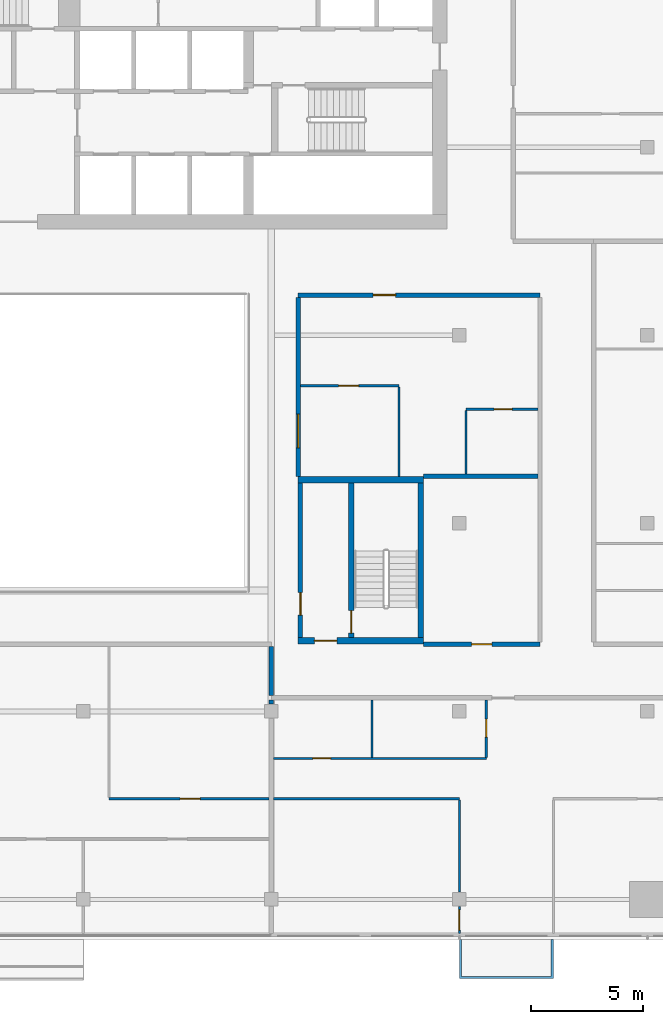
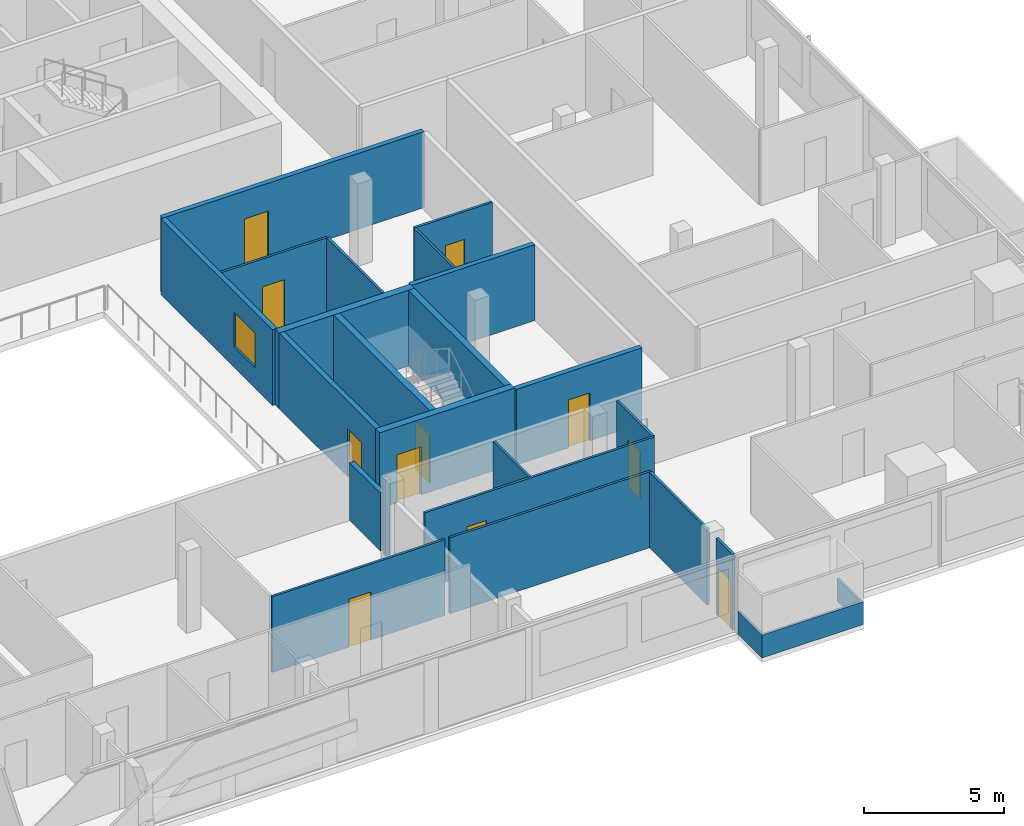
# One storey, part 19 of 26: 23 walls, 11 doors, 1 window, 12 openings.
"""IFC4 building model written with IfcOpenShell, lengths in metres."""

from ifc_helpers import new_model, si_unit, direction, frame, frame_2d, origin, place, context, subcontext, project, spatial, polyline, rectangle, outline, extrude, material, layer, layer_set, type_object, element, fill, save


model = new_model("IFC4")

# Units and contexts
model_context = context("Model", 3, precision=1e-05, world=origin(), true_north=direction((0.0, 1.0)))
body_context = subcontext(model_context, "Body", "Model", "MODEL_VIEW")
ifc_project = project(units=[si_unit("LENGTHUNIT", "METRE"), si_unit("AREAUNIT", "SQUARE_METRE"), si_unit("VOLUMEUNIT", "CUBIC_METRE"), si_unit("PLANEANGLEUNIT", "RADIAN"), si_unit("MASSUNIT", "GRAM", prefix="KILO")], contexts=[model_context])

# Site, building, storey
site_placement = place(None, origin())
site = spatial("IfcSite", under=ifc_project, at=site_placement, CompositionType="ELEMENT")
building_placement = place(site_placement, origin())
building = spatial("IfcBuilding", under=site, at=building_placement, Name="Saffron Gate Tower", CompositionType="ELEMENT")
storey_placement = place(building_placement, frame((0.0, 0.0, 230.699951171875)))
storey = spatial("IfcBuildingStorey", under=building, at=storey_placement, Name="L56", CompositionType="ELEMENT", Elevation=230.699951171875)

# Wall, opening, door
ifc_material_1 = material(Name="Gypsum board partition on steel studs", Category="steel")
ifc_layer_1 = layer(ifc_material_1, 0.199951171875)
ifc_layer_set_1 = layer_set([ifc_layer_1], Name="CW10 Core partition 200")
wall_type_1 = type_object("IfcWallType", Name="CW10 Core partition 200", PredefinedType="PARTITIONING", material=ifc_layer_set_1)
wall_1_placement = place(storey_placement, frame((101.5, 43.5, 0.0), z_axis=(0.0, 0.0, 1.0), x_axis=(0.0, 1.0, 0.0)))
wall_1 = element("IfcWall", 1, at=wall_1_placement, inside=storey, type_object=wall_type_1, Name="Wall CW10-L56-E-2", PredefinedType="PARTITIONING", context=body_context, shape_type="SweptSolid", body=[
    extrude(rectangle(XDim=6.89990234375, YDim=0.199951171875, at=frame_2d((3.449951171875, 0.0))), origin(), (0.0, 0.0, 1.0), 3.320068359375),
])
opening_1_placement = place(wall_1_placement, frame((1.0, 0.0, 0.0)))
opening_1 = element("IfcOpeningElement", 2, at=opening_1_placement, cuts=wall_1, Name="Opening CR-22", PredefinedType="OPENING", context=body_context, shape_type="SweptSolid", body=[
    extrude(rectangle(XDim=1.0, YDim=2.10009765625, at=frame_2d((0.5, 1.050048828125))), frame((0.0, 0.10986328125, 0.0), z_axis=(0.0, -1.0, 0.0), x_axis=(1.0, 0.0, 0.0)), (0.0, 0.0, 1.0), 0.219970703125),
])
ifc_material_2 = material(Name="Steel fire door set", Category="steel")
door_type_1 = type_object("IfcDoorType", Name="CD4 Lobby door 1000x2100 EI 120", OperationType="NOTDEFINED", PredefinedType="DOOR", material=ifc_material_2)
door_1_placement = place(opening_1_placement, origin())
door_1 = element("IfcDoor", 3, at=door_1_placement, inside=storey, type_object=door_type_1, Name="DOOR CR-22", OperationType="SINGLE_SWING_LEFT", OverallHeight=2.10009765625, OverallWidth=1.0, PredefinedType="DOOR", context=body_context, shape_type="SweptSolid", body=[
    extrude(rectangle(XDim=1.0, YDim=2.10009765625, at=frame_2d((0.5, 1.050048828125))), frame((0.0, 0.02490234375, 0.0), z_axis=(0.0, -1.0, 0.0), x_axis=(1.0, 0.0, 0.0)), (0.0, 0.0, 1.0), 0.050048828125),
])
fill(opening_1, door_1)

ifc_material_3 = material(Name="Concrete C60", Category="concrete")
ifc_layer_2 = layer(ifc_material_3, 0.25)
ifc_layer_set_2 = layer_set([ifc_layer_2], Name="CW14 RC core wall 250 C60")
wall_type_2 = type_object("IfcWallType", Name="CW14 RC core wall 250 C60", PredefinedType="SOLIDWALL", material=ifc_layer_set_2)
wall_2_placement = place(storey_placement, frame((103.77490234375, 43.5, 0.0), z_axis=(0.0, 0.0, 1.0), x_axis=(0.0, 1.0, 0.0)))
wall_2 = element("IfcWall", 4, at=wall_2_placement, inside=storey, type_object=wall_type_2, Name="Wall CW14-L56-E-3", PredefinedType="SOLIDWALL", context=body_context, shape_type="SweptSolid", body=[
    extrude(rectangle(XDim=6.89990234375, YDim=0.25, at=frame_2d((3.449951171875, 0.0))), origin(), (0.0, 0.0, 1.0), 3.320068359375),
])
opening_2_placement = place(wall_2_placement, frame((0.199951171875, 0.0, 0.0)))
opening_2 = element("IfcOpeningElement", 5, at=opening_2_placement, cuts=wall_2, Name="Opening CR-23", PredefinedType="OPENING", context=body_context, shape_type="SweptSolid", body=[
    extrude(rectangle(XDim=1.0, YDim=2.10009765625, at=frame_2d((0.5, 1.050048828125))), frame((0.0, 0.135009765625, 0.0), z_axis=(0.0, -1.0, 0.0), x_axis=(1.0, 0.0, 0.0)), (0.0, 0.0, 1.0), 0.27001953125),
])
door_type_2 = type_object("IfcDoorType", Name="CD5 Stair door 1000x2100 EI 120", OperationType="NOTDEFINED", PredefinedType="DOOR", material=ifc_material_2)
door_2_placement = place(opening_2_placement, origin())
door_2 = element("IfcDoor", 6, at=door_2_placement, inside=storey, type_object=door_type_2, Name="DOOR CR-23", OperationType="SINGLE_SWING_RIGHT", OverallHeight=2.10009765625, OverallWidth=1.0, PredefinedType="DOOR", context=body_context, shape_type="SweptSolid", body=[
    extrude(rectangle(XDim=1.0, YDim=2.10009765625, at=frame_2d((0.5, 1.050048828125))), frame((0.0, 0.02490234375, 0.0), z_axis=(0.0, -1.0, 0.0), x_axis=(1.0, 0.0, 0.0)), (0.0, 0.0, 1.0), 0.050048828125),
])
fill(opening_2, door_2)

# Wall
wall_3_placement = place(storey_placement, frame((106.875, 43.5, 0.0), z_axis=(0.0, 0.0, 1.0), x_axis=(0.0, 1.0, 0.0)))
element("IfcWall", 7, at=wall_3_placement, inside=storey, type_object=wall_type_2, Name="Wall CW14-L56-E-4", PredefinedType="SOLIDWALL", context=body_context, shape_type="SweptSolid", body=[
    extrude(rectangle(XDim=6.89990234375, YDim=0.25, at=frame_2d((3.449951171875, 0.0))), origin(), (0.0, 0.0, 1.0), 3.320068359375),
])

# Wall, opening, door
ifc_layer_3 = layer(ifc_material_3, 0.300048828125)
ifc_layer_set_3 = layer_set([ifc_layer_3], Name="CW17 RC core wall 300 C60")
wall_type_3 = type_object("IfcWallType", Name="CW17 RC core wall 300 C60", PredefinedType="SOLIDWALL", material=ifc_layer_set_3)
wall_4_placement = place(storey_placement, frame((101.39990234375, 43.35009765625, 0.0), z_axis=(0.0, 0.0, 1.0), x_axis=(1.0, 0.0, 0.0)))
wall_4 = element("IfcWall", 8, at=wall_4_placement, inside=storey, type_object=wall_type_3, Name="Wall CW17-L56-E-1", PredefinedType="SOLIDWALL", context=body_context, shape_type="SweptSolid", body=[
    extrude(rectangle(XDim=5.60009765625, YDim=0.300048828125, at=frame_2d((2.800048828125, 0.0))), origin(), (0.0, 0.0, 1.0), 3.320068359375),
])
opening_3_placement = place(wall_4_placement, frame((0.72509765625, 0.0, 0.0)))
opening_3 = element("IfcOpeningElement", 9, at=opening_3_placement, cuts=wall_4, Name="Opening CR-21", PredefinedType="OPENING", context=body_context, shape_type="SweptSolid", body=[
    extrude(rectangle(XDim=1.0, YDim=2.10009765625, at=frame_2d((0.5, 1.050048828125))), frame((0.0, 0.16015625, 0.0), z_axis=(0.0, -1.0, 0.0), x_axis=(1.0, 0.0, 0.0)), (0.0, 0.0, 1.0), 0.320068359375),
])
door_3_placement = place(opening_3_placement, origin())
door_3 = element("IfcDoor", 10, at=door_3_placement, inside=storey, type_object=door_type_1, Name="DOOR CR-21", OperationType="SINGLE_SWING_RIGHT", OverallHeight=2.10009765625, OverallWidth=1.0, PredefinedType="DOOR", context=body_context, shape_type="SweptSolid", body=[
    extrude(rectangle(XDim=1.0, YDim=2.10009765625, at=frame_2d((0.5, 1.050048828125))), frame((0.0, 0.02490234375, 0.0), z_axis=(0.0, -1.0, 0.0), x_axis=(1.0, 0.0, 0.0)), (0.0, 0.0, 1.0), 0.050048828125),
])
fill(opening_3, door_3)

# Wall
wall_5_placement = place(storey_placement, frame((101.39990234375, 50.550048828125, 0.0), z_axis=(0.0, 0.0, 1.0), x_axis=(1.0, 0.0, 0.0)))
element("IfcWall", 11, at=wall_5_placement, inside=storey, type_object=wall_type_3, Name="Wall CW17-L56-E-5", PredefinedType="SOLIDWALL", context=body_context, shape_type="SweptSolid", body=[
    extrude(rectangle(XDim=5.60009765625, YDim=0.300048828125, at=frame_2d((2.800048828125, 0.0))), origin(), (0.0, 0.0, 1.0), 3.320068359375),
])

# Wall, opening, door
ifc_material_4 = material(Name="Plasterboard on steel studs", Category="steel")
ifc_layer_4 = layer(ifc_material_4, 0.10009765625)
ifc_layer_set_4 = layer_set([ifc_layer_4], Name="PW1 Partition 100")
wall_type_4 = type_object("IfcWallType", Name="PW1 Partition 100", PredefinedType="PARTITIONING", material=ifc_layer_set_4)
wall_6_placement = place(storey_placement, frame((100.300048828125, 38.10009765625, 0.0), z_axis=(0.0, 0.0, 1.0), x_axis=(1.0, 0.0, 0.0)))
wall_6 = element("IfcWall", 12, at=wall_6_placement, inside=storey, type_object=wall_type_4, Name="Partition D3-6", PredefinedType="PARTITIONING", context=body_context, shape_type="SweptSolid", body=[
    extrude(rectangle(XDim=9.5, YDim=0.10009765625, at=frame_2d((4.75, 0.0))), origin(), (0.0, 0.0, 1.0), 3.320068359375),
])
opening_4_placement = place(wall_6_placement, frame((1.75, 0.0, 0.0)))
opening_4 = element("IfcOpeningElement", 13, at=opening_4_placement, cuts=wall_6, Name="Opening D3-43", PredefinedType="OPENING", context=body_context, shape_type="SweptSolid", body=[
    extrude(rectangle(XDim=0.800048828125, YDim=2.10009765625, at=frame_2d((0.39990234375, 1.050048828125))), frame((0.0, 0.06005859375, 0.0), z_axis=(0.0, -1.0, 0.0), x_axis=(1.0, 0.0, 0.0)), (0.0, 0.0, 1.0), 0.1201171875),
])
ifc_material_5 = material(Name="Timber door set", Category="wood")
door_type_3 = type_object("IfcDoorType", Name="RD2 Bathroom door 800x2100", OperationType="NOTDEFINED", PredefinedType="DOOR", material=ifc_material_5)
door_4_placement = place(opening_4_placement, origin())
door_4 = element("IfcDoor", 14, at=door_4_placement, inside=storey, type_object=door_type_3, Name="Door D3-43", OperationType="SINGLE_SWING_LEFT", OverallHeight=2.10009765625, OverallWidth=0.800048828125, PredefinedType="DOOR", context=body_context, shape_type="SweptSolid", body=[
    extrude(rectangle(XDim=0.800048828125, YDim=2.10009765625, at=frame_2d((0.39990234375, 1.050048828125))), frame((0.0, 0.02490234375, 0.0), z_axis=(0.0, -1.0, 0.0), x_axis=(1.0, 0.0, 0.0)), (0.0, 0.0, 1.0), 0.050048828125),
])
fill(opening_4, door_4)

wall_7_placement = place(storey_placement, frame((112.10009765625, 53.699951171875, 0.0), z_axis=(0.0, 0.0, 1.0), x_axis=(-1.0, 0.0, 0.0)))
wall_7 = element("IfcWall", 15, at=wall_7_placement, inside=storey, type_object=wall_type_4, Name="Partition D3-30", PredefinedType="PARTITIONING", context=body_context, shape_type="SweptSolid", body=[
    extrude(rectangle(XDim=3.2001953125, YDim=0.10009765625, at=frame_2d((1.60009765625, 0.0))), origin(), (0.0, 0.0, 1.0), 3.320068359375),
])
opening_5_placement = place(wall_7_placement, frame((1.14990234375, 0.0, 0.0)))
opening_5 = element("IfcOpeningElement", 16, at=opening_5_placement, cuts=wall_7, Name="Opening D3-53", PredefinedType="OPENING", context=body_context, shape_type="SweptSolid", body=[
    extrude(rectangle(XDim=0.800048828125, YDim=2.10009765625, at=frame_2d((0.39990234375, 1.050048828125))), frame((0.0, 0.06005859375, 0.0), z_axis=(0.0, -1.0, 0.0), x_axis=(1.0, 0.0, 0.0)), (0.0, 0.0, 1.0), 0.1201171875),
])
door_5_placement = place(opening_5_placement, origin())
door_5 = element("IfcDoor", 17, at=door_5_placement, inside=storey, type_object=door_type_3, Name="Door D3-53", OperationType="SINGLE_SWING_LEFT", OverallHeight=2.10009765625, OverallWidth=0.800048828125, PredefinedType="DOOR", context=body_context, shape_type="SweptSolid", body=[
    extrude(rectangle(XDim=0.800048828125, YDim=2.10009765625, at=frame_2d((0.39990234375, 1.050048828125))), frame((0.0, 0.02490234375, 0.0), z_axis=(0.0, -1.0, 0.0), x_axis=(1.0, 0.0, 0.0)), (0.0, 0.0, 1.0), 0.050048828125),
])
fill(opening_5, door_5)

wall_8_placement = place(storey_placement, frame((105.89990234375, 54.75, 0.0), z_axis=(0.0, 0.0, 1.0), x_axis=(-1.0, 0.0, 0.0)))
wall_8 = element("IfcWall", 18, at=wall_8_placement, inside=storey, type_object=wall_type_4, Name="Partition D3-33", PredefinedType="PARTITIONING", context=body_context, shape_type="SweptSolid", body=[
    extrude(rectangle(XDim=4.39990234375, YDim=0.10009765625, at=frame_2d((2.199951171875, 0.0))), origin(), (0.0, 0.0, 1.0), 3.320068359375),
])
opening_6_placement = place(wall_8_placement, frame((1.800048828125, 0.0, 0.0)))
opening_6 = element("IfcOpeningElement", 19, at=opening_6_placement, cuts=wall_8, Name="Opening D3-38", PredefinedType="OPENING", context=body_context, shape_type="SweptSolid", body=[
    extrude(rectangle(XDim=0.89990234375, YDim=2.10009765625, at=frame_2d((0.449951171875, 1.050048828125))), frame((0.0, 0.06005859375, 0.0), z_axis=(0.0, -1.0, 0.0), x_axis=(1.0, 0.0, 0.0)), (0.0, 0.0, 1.0), 0.1201171875),
])
door_type_4 = type_object("IfcDoorType", Name="RD1 Room door 900x2100", OperationType="NOTDEFINED", PredefinedType="DOOR", material=ifc_material_5)
door_6_placement = place(opening_6_placement, origin())
door_6 = element("IfcDoor", 20, at=door_6_placement, inside=storey, type_object=door_type_4, Name="Door D3-38", OperationType="SINGLE_SWING_RIGHT", OverallHeight=2.10009765625, OverallWidth=0.89990234375, PredefinedType="DOOR", context=body_context, shape_type="SweptSolid", body=[
    extrude(rectangle(XDim=0.89990234375, YDim=2.10009765625, at=frame_2d((0.449951171875, 1.050048828125))), frame((0.0, 0.02490234375, 0.0), z_axis=(0.0, -1.0, 0.0), x_axis=(1.0, 0.0, 0.0)), (0.0, 0.0, 1.0), 0.050048828125),
])
fill(opening_6, door_6)

# Walls
wall_9_placement = place(storey_placement, frame((104.699951171875, 40.699951171875, 0.0), z_axis=(0.0, 0.0, 1.0), x_axis=(0.0, -1.0, 0.0)))
element("IfcWall", 21, at=wall_9_placement, inside=storey, type_object=wall_type_4, Name="Partition D3-96", PredefinedType="PARTITIONING", context=body_context, shape_type="SweptSolid", body=[
    extrude(rectangle(XDim=2.550048828125, YDim=0.10009765625, at=frame_2d((1.27490234375, 0.0))), origin(), (0.0, 0.0, 1.0), 3.320068359375),
])
wall_10_placement = place(storey_placement, frame((105.89990234375, 54.699951171875, 0.0), z_axis=(0.0, 0.0, 1.0), x_axis=(0.0, -1.0, 0.0)))
element("IfcWall", 22, at=wall_10_placement, inside=storey, type_object=wall_type_4, Name="Partition D3-97", PredefinedType="PARTITIONING", context=body_context, shape_type="SweptSolid", body=[
    extrude(rectangle(XDim=4.0, YDim=0.10009765625, at=frame_2d((2.0, 0.0))), origin(), (0.0, 0.0, 1.0), 3.320068359375),
])

# Wall, opening, door
wall_11_placement = place(storey_placement, frame((108.60009765625, 30.280029296875, 0.0), z_axis=(0.0, 0.0, 1.0), x_axis=(0.0, 1.0, 0.0)))
wall_11 = element("IfcWall", 23, at=wall_11_placement, inside=storey, type_object=wall_type_4, Name="Partition D3-98", PredefinedType="PARTITIONING", context=body_context, shape_type="SweptSolid", body=[
    extrude(rectangle(XDim=1.199951171875, YDim=0.10009765625, at=frame_2d((0.60009765625, 0.0))), origin(), (0.0, 0.0, 1.0), 3.320068359375),
])
opening_7_placement = place(wall_11_placement, frame((0.14990234375, 0.0, 0.0)))
opening_7 = element("IfcOpeningElement", 24, at=opening_7_placement, cuts=wall_11, Name="Opening D3-21", PredefinedType="OPENING", context=body_context, shape_type="SweptSolid", body=[
    extrude(rectangle(XDim=0.89990234375, YDim=2.10009765625, at=frame_2d((0.449951171875, 1.050048828125))), frame((0.0, 0.06005859375, 0.0), z_axis=(0.0, -1.0, 0.0), x_axis=(1.0, 0.0, 0.0)), (0.0, 0.0, 1.0), 0.1201171875),
])
door_7_placement = place(opening_7_placement, origin())
door_7 = element("IfcDoor", 25, at=door_7_placement, inside=storey, type_object=door_type_4, Name="Door D3-21", OperationType="SINGLE_SWING_LEFT", OverallHeight=2.10009765625, OverallWidth=0.89990234375, PredefinedType="DOOR", context=body_context, shape_type="SweptSolid", body=[
    extrude(rectangle(XDim=0.89990234375, YDim=2.10009765625, at=frame_2d((0.449951171875, 1.050048828125))), frame((0.0, 0.02490234375, 0.0), z_axis=(0.0, -1.0, 0.0), x_axis=(1.0, 0.0, 0.0)), (0.0, 0.0, 1.0), 0.050048828125),
])
fill(opening_7, door_7)

# Walls
wall_12_placement = place(storey_placement, frame((108.60009765625, 36.25, 0.0), z_axis=(0.0, 0.0, 1.0), x_axis=(0.0, -1.0, 0.0)))
element("IfcWall", 26, at=wall_12_placement, inside=storey, type_object=wall_type_4, Name="Partition D3-99", PredefinedType="PARTITIONING", context=body_context, shape_type="SweptSolid", body=[
    extrude(rectangle(XDim=4.1298828125, YDim=0.10009765625, at=frame_2d((2.06494140625, 0.0))), origin(), (0.0, 0.0, 1.0), 3.320068359375),
])
wall_13_placement = place(storey_placement, frame((108.89990234375, 53.64990234375, 0.0), z_axis=(0.0, 0.0, 1.0), x_axis=(0.0, -1.0, 0.0)))
element("IfcWall", 27, at=wall_13_placement, inside=storey, type_object=wall_type_4, Name="Partition D3-100", PredefinedType="PARTITIONING", context=body_context, shape_type="SweptSolid", body=[
    extrude(rectangle(XDim=2.849853515625, YDim=0.10009765625, at=frame_2d((1.4248046875, 0.0))), origin(), (0.0, 0.0, 1.0), 3.320068359375),
])

# Wall, opening, door
wall_14_placement = place(storey_placement, frame((109.800048828125, 38.14990234375, 0.0), z_axis=(0.0, 0.0, 1.0), x_axis=(0.0, 1.0, 0.0)))
wall_14 = element("IfcWall", 28, at=wall_14_placement, inside=storey, type_object=wall_type_4, Name="Partition D3-101", PredefinedType="PARTITIONING", context=body_context, shape_type="SweptSolid", body=[
    extrude(rectangle(XDim=2.550048828125, YDim=0.10009765625, at=frame_2d((1.27490234375, 0.0))), origin(), (0.0, 0.0, 1.0), 3.320068359375),
])
opening_8_placement = place(wall_14_placement, frame((0.89990234375, 0.0, 0.0)))
opening_8 = element("IfcOpeningElement", 29, at=opening_8_placement, cuts=wall_14, Name="Opening D3-44", PredefinedType="OPENING", context=body_context, shape_type="SweptSolid", body=[
    extrude(rectangle(XDim=0.800048828125, YDim=2.10009765625, at=frame_2d((0.39990234375, 1.050048828125))), frame((0.0, 0.06005859375, 0.0), z_axis=(0.0, -1.0, 0.0), x_axis=(1.0, 0.0, 0.0)), (0.0, 0.0, 1.0), 0.1201171875),
])
door_8_placement = place(opening_8_placement, origin())
door_8 = element("IfcDoor", 30, at=door_8_placement, inside=storey, type_object=door_type_3, Name="Door D3-44", OperationType="SINGLE_SWING_RIGHT", OverallHeight=2.10009765625, OverallWidth=0.800048828125, PredefinedType="DOOR", context=body_context, shape_type="SweptSolid", body=[
    extrude(rectangle(XDim=0.800048828125, YDim=2.10009765625, at=frame_2d((0.39990234375, 1.050048828125))), frame((0.0, 0.02490234375, 0.0), z_axis=(0.0, -1.0, 0.0), x_axis=(1.0, 0.0, 0.0)), (0.0, 0.0, 1.0), 0.050048828125),
])
fill(opening_8, door_8)

wall_15_placement = place(storey_placement, frame((92.94189453125, 36.300048828125, 0.0), z_axis=(0.0, 0.0, 1.0), x_axis=(1.0, 0.0, 0.0)))
wall_15 = element("IfcWall", 31, at=wall_15_placement, inside=storey, type_object=wall_type_4, Name="Partition D3-116", PredefinedType="PARTITIONING", context=body_context, shape_type="SweptSolid", body=[
    extrude(rectangle(XDim=7.158203125, YDim=0.10009765625, at=frame_2d((3.5791015625, 0.0))), origin(), (0.0, 0.0, 1.0), 3.320068359375),
])
opening_9_placement = place(wall_15_placement, frame((3.178955078125, 0.0, 0.0)))
opening_9 = element("IfcOpeningElement", 32, at=opening_9_placement, cuts=wall_15, Name="Opening D3-19", PredefinedType="OPENING", context=body_context, shape_type="SweptSolid", body=[
    extrude(rectangle(XDim=0.89990234375, YDim=2.10009765625, at=frame_2d((0.449951171875, 1.050048828125))), frame((0.0, 0.06005859375, 0.0), z_axis=(0.0, -1.0, 0.0), x_axis=(1.0, 0.0, 0.0)), (0.0, 0.0, 1.0), 0.1201171875),
])
door_9_placement = place(opening_9_placement, origin())
door_9 = element("IfcDoor", 33, at=door_9_placement, inside=storey, type_object=door_type_4, Name="Door D3-19", OperationType="SINGLE_SWING_RIGHT", OverallHeight=2.10009765625, OverallWidth=0.89990234375, PredefinedType="DOOR", context=body_context, shape_type="SweptSolid", body=[
    extrude(rectangle(XDim=0.89990234375, YDim=2.10009765625, at=frame_2d((0.449951171875, 1.050048828125))), frame((0.0, 0.02490234375, 0.0), z_axis=(0.0, -1.0, 0.0), x_axis=(1.0, 0.0, 0.0)), (0.0, 0.0, 1.0), 0.050048828125),
])
fill(opening_9, door_9)

# Walls
wall_16_placement = place(storey_placement, frame((100.300048828125, 36.300048828125, 0.0), z_axis=(0.0, 0.0, 1.0), x_axis=(1.0, 0.0, 0.0)))
element("IfcWall", 34, at=wall_16_placement, inside=storey, type_object=wall_type_4, Name="Partition D3-117", PredefinedType="PARTITIONING", context=body_context, shape_type="SweptSolid", body=[
    extrude(rectangle(XDim=8.300048828125, YDim=0.10009765625, at=frame_2d((4.14990234375, 0.0))), origin(), (0.0, 0.0, 1.0), 3.320068359375),
])
ifc_material_6 = material(Name="Clay brick masonry, rendered", Category="masonry")
ifc_layer_5 = layer(ifc_material_6, 0.199951171875)
ifc_layer_set_5 = layer_set([ifc_layer_5], Name="PW2 Demising wall 200")
wall_type_5 = type_object("IfcWallType", Name="PW2 Demising wall 200", PredefinedType="PARTITIONING", material=ifc_layer_set_5)
wall_17_placement = place(storey_placement, frame((107.0, 50.699951171875, 0.0), z_axis=(0.0, 0.0, 1.0), x_axis=(1.0, 0.0, 0.0)))
element("IfcWall", 35, at=wall_17_placement, inside=storey, type_object=wall_type_5, Name="Wall D3-25", PredefinedType="PARTITIONING", context=body_context, shape_type="SweptSolid", body=[
    extrude(rectangle(XDim=5.10009765625, YDim=0.199951171875, at=frame_2d((2.550048828125, 0.0))), origin(), (0.0, 0.0, 1.0), 3.320068359375),
])
wall_18_placement = place(storey_placement, frame((100.199951171875, 40.699951171875, 0.0), z_axis=(0.0, 0.0, 1.0), x_axis=(0.0, -1.0, 0.0)))
element("IfcWall", 36, at=wall_18_placement, inside=storey, type_object=wall_type_5, Name="Wall D3-94", PredefinedType="PARTITIONING", context=body_context, shape_type="SweptSolid", body=[
    extrude(rectangle(XDim=0.179931640625, YDim=0.199951171875, at=frame_2d((0.08984375, 0.0))), origin(), (0.0, 0.0, 1.0), 3.320068359375),
])

# Wall, opening, door
ifc_layer_6 = layer(ifc_material_6, 0.199951171875)
ifc_layer_set_6 = layer_set([ifc_layer_6], Name="PW3 Corridor wall 200")
wall_type_6 = type_object("IfcWallType", Name="PW3 Corridor wall 200", PredefinedType="PARTITIONING", material=ifc_layer_set_6)
wall_19_placement = place(storey_placement, frame((107.0, 43.199951171875, 0.0), z_axis=(0.0, 0.0, 1.0), x_axis=(1.0, 0.0, 0.0)))
wall_19 = element("IfcWall", 37, at=wall_19_placement, inside=storey, type_object=wall_type_6, Name="Wall D3-15", PredefinedType="PARTITIONING", context=body_context, shape_type="SweptSolid", body=[
    extrude(rectangle(XDim=5.199951171875, YDim=0.199951171875, at=frame_2d((2.60009765625, 0.0))), origin(), (0.0, 0.0, 1.0), 3.320068359375),
])
opening_10_placement = place(wall_19_placement, frame((2.14990234375, 0.0, 0.0)))
opening_10 = element("IfcOpeningElement", 38, at=opening_10_placement, cuts=wall_19, Name="Opening D3-54", PredefinedType="OPENING", context=body_context, shape_type="SweptSolid", body=[
    extrude(rectangle(XDim=0.89990234375, YDim=2.10009765625, at=frame_2d((0.449951171875, 1.050048828125))), frame((0.0, 0.10986328125, 0.0), z_axis=(0.0, -1.0, 0.0), x_axis=(1.0, 0.0, 0.0)), (0.0, 0.0, 1.0), 0.219970703125),
])
door_type_5 = type_object("IfcDoorType", Name="SD1 Service door 900x2100", OperationType="NOTDEFINED", PredefinedType="DOOR", material=ifc_material_2)
door_10_placement = place(opening_10_placement, origin())
door_10 = element("IfcDoor", 39, at=door_10_placement, inside=storey, type_object=door_type_5, Name="Door D3-54", OperationType="SINGLE_SWING_LEFT", OverallHeight=2.10009765625, OverallWidth=0.89990234375, PredefinedType="DOOR", context=body_context, shape_type="SweptSolid", body=[
    extrude(rectangle(XDim=0.89990234375, YDim=2.10009765625, at=frame_2d((0.449951171875, 1.050048828125))), frame((0.0, 0.02490234375, 0.0), z_axis=(0.0, -1.0, 0.0), x_axis=(1.0, 0.0, 0.0)), (0.0, 0.0, 1.0), 0.050048828125),
])
fill(opening_10, door_10)

wall_20_placement = place(storey_placement, frame((112.199951171875, 58.800048828125, 0.0), z_axis=(0.0, 0.0, 1.0), x_axis=(-1.0, 0.0, 0.0)))
wall_20 = element("IfcWall", 40, at=wall_20_placement, inside=storey, type_object=wall_type_6, Name="Wall D3-37", PredefinedType="PARTITIONING", context=body_context, shape_type="SweptSolid", body=[
    extrude(rectangle(XDim=10.800048828125, YDim=0.199951171875, at=frame_2d((5.39990234375, 0.0))), origin(), (0.0, 0.0, 1.0), 3.320068359375),
])
opening_11_placement = place(wall_20_placement, frame((6.449951171875, 0.0, 0.0)))
opening_11 = element("IfcOpeningElement", 41, at=opening_11_placement, cuts=wall_20, Name="Opening D3-9", PredefinedType="OPENING", context=body_context, shape_type="SweptSolid", body=[
    extrude(rectangle(XDim=1.0, YDim=2.10009765625, at=frame_2d((0.5, 1.050048828125))), frame((0.0, 0.10986328125, 0.0), z_axis=(0.0, -1.0, 0.0), x_axis=(1.0, 0.0, 0.0)), (0.0, 0.0, 1.0), 0.219970703125),
])
ifc_material_7 = material(Name="Timber fire door set", Category="wood")
door_type_6 = type_object("IfcDoorType", Name="FD1 Flat entry door 1000x2100", OperationType="NOTDEFINED", PredefinedType="DOOR", material=ifc_material_7)
door_11_placement = place(opening_11_placement, origin())
door_11 = element("IfcDoor", 42, at=door_11_placement, inside=storey, type_object=door_type_6, Name="Door D3-9", OperationType="SINGLE_SWING_LEFT", OverallHeight=2.10009765625, OverallWidth=1.0, PredefinedType="DOOR", context=body_context, shape_type="SweptSolid", body=[
    extrude(rectangle(XDim=1.0, YDim=2.10009765625, at=frame_2d((0.5, 1.050048828125))), frame((0.0, 0.02490234375, 0.0), z_axis=(0.0, -1.0, 0.0), x_axis=(1.0, 0.0, 0.0)), (0.0, 0.0, 1.0), 0.050048828125),
])
fill(opening_11, door_11)

# Wall
wall_21_placement = place(storey_placement, frame((100.199951171875, 43.10009765625, 0.0), z_axis=(0.0, 0.0, 1.0), x_axis=(0.0, -1.0, 0.0)))
element("IfcWall", 43, at=wall_21_placement, inside=storey, type_object=wall_type_6, Name="Wall D3-91", PredefinedType="PARTITIONING", context=body_context, shape_type="SweptSolid", body=[
    extrude(rectangle(XDim=2.2001953125, YDim=0.199951171875, at=frame_2d((1.10009765625, 0.0))), origin(), (0.0, 0.0, 1.0), 2.530029296875),
])

# Wall, opening, window
wall_22_placement = place(storey_placement, frame((101.39990234375, 58.699951171875, 0.0), z_axis=(0.0, 0.0, 1.0), x_axis=(0.0, -1.0, 0.0)))
wall_22 = element("IfcWall", 44, at=wall_22_placement, inside=storey, type_object=wall_type_6, Name="Wall D3-95", PredefinedType="PARTITIONING", context=body_context, shape_type="SweptSolid", body=[
    extrude(rectangle(XDim=8.0, YDim=0.199951171875, at=frame_2d((4.0, 0.0))), origin(), (0.0, 0.0, 1.0), 3.320068359375),
])
opening_12_placement = place(wall_22_placement, frame((5.22509765625, 0.0, 0.89990234375)))
opening_12 = element("IfcOpeningElement", 45, at=opening_12_placement, cuts=wall_22, Name="Opening GW1", PredefinedType="OPENING", context=body_context, shape_type="SweptSolid", body=[
    extrude(rectangle(XDim=1.5, YDim=1.5, at=frame_2d((0.75, 0.75))), frame((0.0, 0.10986328125, 0.0), z_axis=(0.0, -1.0, 0.0), x_axis=(1.0, 0.0, 0.0)), (0.0, 0.0, 1.0), 0.219970703125),
])
ifc_material_8 = material(Name="Fire-resisting laminated glass in steel frame", Category="steel")
ifc_layer_7 = layer(ifc_material_8, 0.06005859375)
ifc_layer_set_7 = layer_set([ifc_layer_7], Name="GW1 Gallery window 1500x1500")
window_type = type_object("IfcWindowType", Name="GW1 Gallery window 1500x1500", PartitioningType="SINGLE_PANEL", PredefinedType="WINDOW", material=ifc_layer_set_7)
window_placement = place(opening_12_placement, origin())
window = element("IfcWindow", 46, at=window_placement, inside=storey, type_object=window_type, Name="GW1 window D3-J-B1", OverallHeight=1.5, OverallWidth=1.5, PartitioningType="SINGLE_PANEL", PredefinedType="WINDOW", context=body_context, shape_type="SweptSolid", body=[
    extrude(rectangle(XDim=1.5, YDim=1.5, at=frame_2d((0.75, 0.75))), frame((0.0, 0.030029296875, 0.0), z_axis=(0.0, -1.0, 0.0), x_axis=(1.0, 0.0, 0.0)), (0.0, 0.0, 1.0), 0.06005859375),
])
fill(opening_12, window)

# Wall
ifc_material_9 = material(Name="Rendered insulated panel, white")
ifc_layer_8 = layer(ifc_material_9, 0.10009765625)
ifc_layer_set_8 = layer_set([ifc_layer_8], Name="WB3 box parapet white")
wall_type_7 = type_object("IfcWallType", Name="WB3 box parapet white", PredefinedType="SOLIDWALL", material=ifc_layer_set_8)
wall_23_placement = place(storey_placement, origin())
element("IfcWall", 47, at=wall_23_placement, inside=storey, type_object=wall_type_7, Name="WINDOW BOX parapet", PredefinedType="SOLIDWALL", context=body_context, shape_type="SweptSolid", body=[
    extrude(outline(polyline([(108.60009765625, 30.0), (108.699951171875, 30.0), (108.699951171875, 28.366943359375), (112.699951171875, 28.366943359375), (112.699951171875, 30.0), (112.800048828125, 30.0), (112.800048828125, 28.26708984375), (108.60009765625, 28.26708984375), (108.60009765625, 30.0)])), origin(), (0.0, 0.0, 1.0), 1.0),
])

save(model, "model.ifc")
